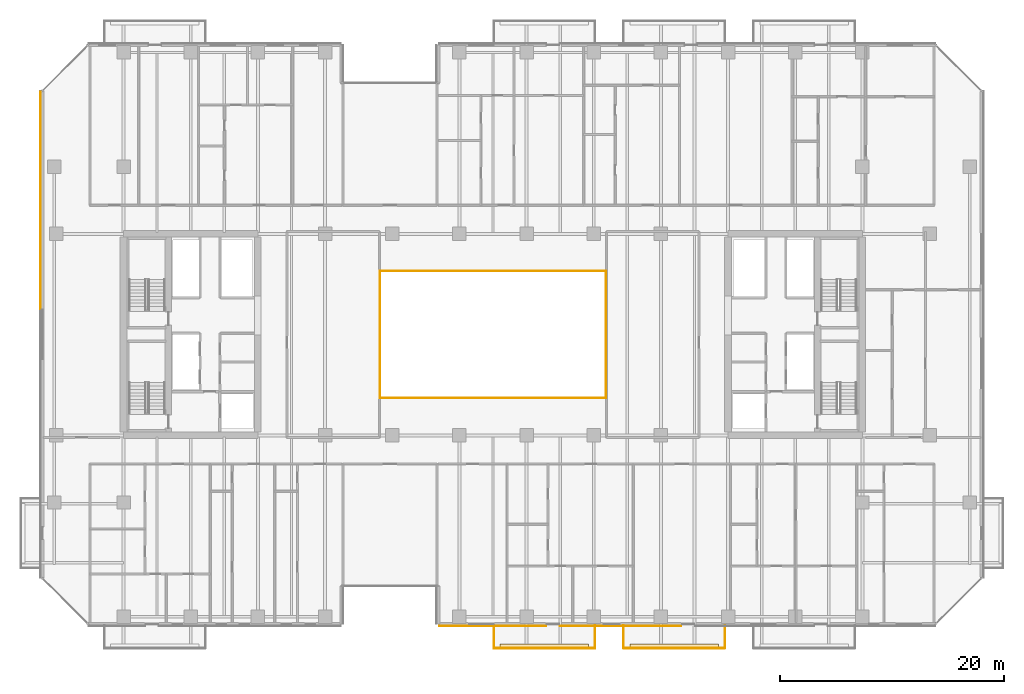
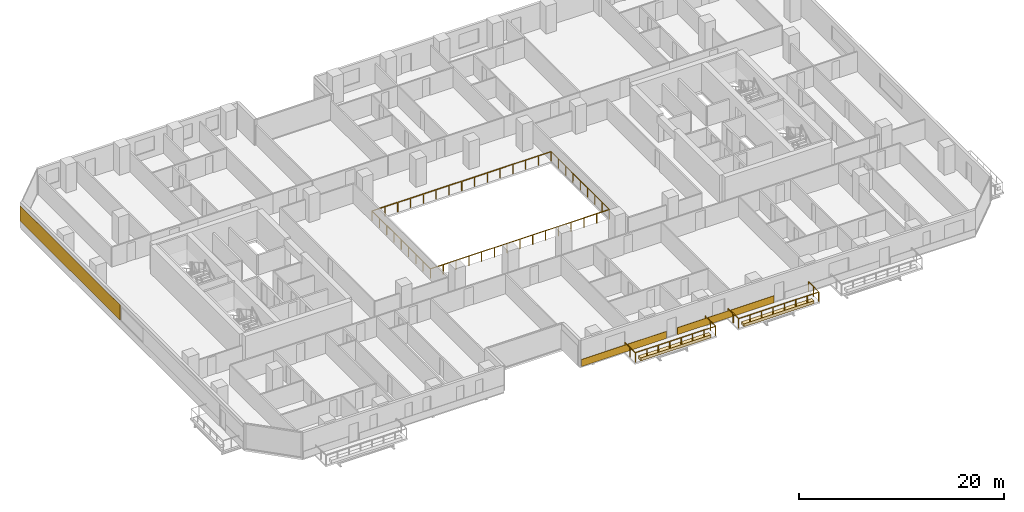
# One storey, part 28 of 33: 5 coverings, 4 railings.
"""IFC4 building model written with IfcOpenShell, lengths in metres."""

from ifc_helpers import new_model, si_unit, direction, frame, origin, origin_2d, place, context, subcontext, project, spatial, polyline, rectangle, outline, extrude, material, layer, layer_set, type_object, element, save


model = new_model("IFC4")

# Units and contexts
model_context = context("Model", 3, precision=1e-05, world=origin(), true_north=direction((0.0, 1.0)))
body_context = subcontext(model_context, "Body", "Model", "MODEL_VIEW")
ifc_project = project(units=[si_unit("LENGTHUNIT", "METRE"), si_unit("AREAUNIT", "SQUARE_METRE"), si_unit("VOLUMEUNIT", "CUBIC_METRE"), si_unit("PLANEANGLEUNIT", "RADIAN"), si_unit("MASSUNIT", "GRAM", prefix="KILO")], contexts=[model_context])

# Site, building, storey
site_placement = place(None, origin())
site = spatial("IfcSite", under=ifc_project, at=site_placement, CompositionType="ELEMENT")
building_placement = place(site_placement, origin())
building = spatial("IfcBuilding", under=site, at=building_placement, Name="Tanjung Sevakor Pilgrim Tower", CompositionType="ELEMENT")
storey_placement = place(building_placement, frame((0.0, 0.0, 38.93994140625)))
storey = spatial("IfcBuildingStorey", under=building, at=storey_placement, Name="L10", CompositionType="ELEMENT", Elevation=38.93994140625)

# Coverings
ifc_material_1 = material(Name="Reconstructed Limestone Cladding", Category="masonry")
ifc_layer_1 = layer(ifc_material_1, 0.044921875)
ifc_layer_set_1 = layer_set([ifc_layer_1], Name="COV-CLAD-LIMESTONE")
covering_type_1 = type_object("IfcCoveringType", Name="COV-CLAD-LIMESTONE", PredefinedType="CLADDING", material=ifc_layer_set_1)
covering_1_placement = place(storey_placement, frame((56.9599609375, 7.577392578125, 0.01025390625), z_axis=(0.0, 0.0, 1.0), x_axis=(1.0, 0.0, 0.0)))
element("IfcCovering", 1, at=covering_1_placement, inside=storey, type_object=covering_type_1, Name="L10 Warm Limestone Sill Spandrel EW-L10-MAIN-5-1", PredefinedType="CLADDING", context=body_context, shape_type="SweptSolid", body=[
    extrude(rectangle(XDim=9.56005859375, YDim=0.044921875, at=origin_2d()), origin(), (0.0, 0.0, 1.0), 0.840087890625),
])
covering_2_placement = place(storey_placement, frame((68.39990234375, 7.577392578125, 0.01025390625), z_axis=(0.0, 0.0, 1.0), x_axis=(1.0, 0.0, 0.0)))
element("IfcCovering", 2, at=covering_2_placement, inside=storey, type_object=covering_type_1, Name="L10 Warm Limestone Sill Spandrel EW-L10-MAIN-5-2", PredefinedType="CLADDING", context=body_context, shape_type="SweptSolid", body=[
    extrude(rectangle(XDim=10.8798828125, YDim=0.044921875, at=origin_2d()), origin(), (0.0, 0.0, 1.0), 0.840087890625),
])
covering_3_placement = place(storey_placement, frame((16.577392578125, 45.575927734375, 0.85009765625), z_axis=(0.0, 0.0, 1.0), x_axis=(0.0, -1.0, 0.0)))
element("IfcCovering", 3, at=covering_3_placement, inside=storey, type_object=covering_type_1, Name="L10 Warm Limestone Pier Panel EW-L10-MAIN-15-1", PredefinedType="CLADDING", context=body_context, shape_type="SweptSolid", body=[
    extrude(rectangle(XDim=19.451904296875, YDim=0.044921875, at=origin_2d()), origin(), (0.0, 0.0, 1.0), 1.81005859375),
])
ifc_material_2 = material(Name="Vegetated Modular Planter Assembly", Category="organic")
ifc_layer_2 = layer(ifc_material_2, 0.35009765625)
ifc_layer_set_2 = layer_set([ifc_layer_2], Name="COV-GRN-TROUGH")
covering_type_2 = type_object("IfcCoveringType", Name="COV-GRN-TROUGH", PredefinedType="CLADDING", material=ifc_layer_set_2)
covering_4_placement = place(storey_placement, origin())
element("IfcCovering", 4, at=covering_4_placement, inside=storey, type_object=covering_type_2, Name="L10 Planted Landscape Hedge Trough BGRN-L10-MAIN-S2", PredefinedType="CLADDING", context=body_context, shape_type="SweptSolid", body=[
    extrude(outline(polyline([(57.64990234375, 5.5), (65.550048828125, 5.5), (65.550048828125, 5.93994140625), (57.64990234375, 5.93994140625), (57.64990234375, 5.5)])), origin(), (0.0, 0.0, 1.0), 0.35009765625),
])
covering_5_placement = place(storey_placement, origin())
element("IfcCovering", 5, at=covering_5_placement, inside=storey, type_object=covering_type_2, Name="L10 Planted Landscape Hedge Trough BGRN-L10-MAIN-S3", PredefinedType="CLADDING", context=body_context, shape_type="SweptSolid", body=[
    extrude(outline(polyline([(69.25, 5.5), (77.14990234375, 5.5), (77.14990234375, 5.93994140625), (69.25, 5.93994140625), (69.25, 5.5)])), origin(), (0.0, 0.0, 1.0), 0.35009765625),
])

# Railings
ifc_material_3 = material(Name="Laminated Glass and Aluminium", Category="aluminium")
railing_type = type_object("IfcRailingType", Name="RL-BAL-BALUST", PredefinedType="BALUSTRADE", material=ifc_material_3)
railing_1_placement = place(storey_placement, frame((46.919921875, 27.919921875, 0.0)))
element("IfcRailing", 6, at=railing_1_placement, inside=storey, type_object=railing_type, Name="L10 Void Opening Balustrade 1A", PredefinedType="BALUSTRADE", context=body_context, shape_type="SweptSolid", body=[
    extrude(rectangle(XDim=0.0479, YDim=0.0479), frame((0.0, 0.0, 1.1259765625), z_axis=(1.0, 0.0, 0.0), x_axis=(0.0, 1.0, 0.0)), (0.0, 0.0, 1.0), 20.16015625),
    extrude(rectangle(XDim=0.0479, YDim=0.0479), frame((20.16015625, 0.0, 1.1259765625), z_axis=(0.0, 1.0, 0.0), x_axis=(-1.0, 0.0, 0.0)), (0.0, 0.0, 1.0), 11.360107421875),
    extrude(rectangle(XDim=0.042, YDim=0.042), origin(), (0.0, 0.0, 1.0), 1.101806640625),
    extrude(rectangle(XDim=0.042, YDim=0.042), frame((1.43994140625, 0.0, 0.0)), (0.0, 0.0, 1.0), 1.101806640625),
    extrude(rectangle(XDim=0.042, YDim=0.042), frame((2.880126953125, 0.0, 0.0)), (0.0, 0.0, 1.0), 1.101806640625),
    extrude(rectangle(XDim=0.042, YDim=0.042), frame((4.320068359375, 0.0, 0.0)), (0.0, 0.0, 1.0), 1.101806640625),
    extrude(rectangle(XDim=0.042, YDim=0.042), frame((5.760009765625, 0.0, 0.0)), (0.0, 0.0, 1.0), 1.101806640625),
    extrude(rectangle(XDim=0.042, YDim=0.042), frame((7.199951171875, 0.0, 0.0)), (0.0, 0.0, 1.0), 1.101806640625),
    extrude(rectangle(XDim=0.042, YDim=0.042), frame((8.64013671875, 0.0, 0.0)), (0.0, 0.0, 1.0), 1.101806640625),
    extrude(rectangle(XDim=0.042, YDim=0.042), frame((10.080078125, 0.0, 0.0)), (0.0, 0.0, 1.0), 1.101806640625),
    extrude(rectangle(XDim=0.042, YDim=0.042), frame((11.52001953125, 0.0, 0.0)), (0.0, 0.0, 1.0), 1.101806640625),
    extrude(rectangle(XDim=0.042, YDim=0.042), frame((12.960205078125, 0.0, 0.0)), (0.0, 0.0, 1.0), 1.101806640625),
    extrude(rectangle(XDim=0.042, YDim=0.042), frame((14.400146484375, 0.0, 0.0)), (0.0, 0.0, 1.0), 1.101806640625),
    extrude(rectangle(XDim=0.042, YDim=0.042), frame((15.840087890625, 0.0, 0.0)), (0.0, 0.0, 1.0), 1.101806640625),
    extrude(rectangle(XDim=0.042, YDim=0.042), frame((17.280029296875, 0.0, 0.0)), (0.0, 0.0, 1.0), 1.101806640625),
    extrude(rectangle(XDim=0.042, YDim=0.042), frame((18.72021484375, 0.0, 0.0)), (0.0, 0.0, 1.0), 1.101806640625),
    extrude(rectangle(XDim=0.042, YDim=0.042), frame((20.16015625, 0.0, 0.0)), (0.0, 0.0, 1.0), 1.101806640625),
    extrude(rectangle(XDim=0.042, YDim=0.042), frame((20.16015625, 1.419921875, 0.0)), (0.0, 0.0, 1.0), 1.101806640625),
    extrude(rectangle(XDim=0.042, YDim=0.042), frame((20.16015625, 2.840087890625, 0.0)), (0.0, 0.0, 1.0), 1.101806640625),
    extrude(rectangle(XDim=0.042, YDim=0.042), frame((20.16015625, 4.260009765625, 0.0)), (0.0, 0.0, 1.0), 1.101806640625),
    extrude(rectangle(XDim=0.042, YDim=0.042), frame((20.16015625, 5.68017578125, 0.0)), (0.0, 0.0, 1.0), 1.101806640625),
    extrude(rectangle(XDim=0.042, YDim=0.042), frame((20.16015625, 7.10009765625, 0.0)), (0.0, 0.0, 1.0), 1.101806640625),
    extrude(rectangle(XDim=0.042, YDim=0.042), frame((20.16015625, 8.52001953125, 0.0)), (0.0, 0.0, 1.0), 1.101806640625),
    extrude(rectangle(XDim=0.042, YDim=0.042), frame((20.16015625, 9.940185546875, 0.0)), (0.0, 0.0, 1.0), 1.101806640625),
    extrude(rectangle(XDim=0.042, YDim=0.042), frame((20.16015625, 11.360107421875, 0.0)), (0.0, 0.0, 1.0), 1.101806640625),
])
railing_2_placement = place(storey_placement, frame((67.080078125, 39.280029296875, 0.0)))
element("IfcRailing", 7, at=railing_2_placement, inside=storey, type_object=railing_type, Name="L10 Void Opening Balustrade 1B", PredefinedType="BALUSTRADE", context=body_context, shape_type="SweptSolid", body=[
    extrude(rectangle(XDim=0.0479, YDim=0.0479), frame((0.0, 0.0, 1.1259765625), z_axis=(-1.0, 0.0, 0.0), x_axis=(0.0, -1.0, 0.0)), (0.0, 0.0, 1.0), 20.16015625),
    extrude(rectangle(XDim=0.0479, YDim=0.0479), frame((-20.16015625, 0.0, 1.1259765625), z_axis=(0.0, -1.0, 0.0), x_axis=(1.0, 0.0, 0.0)), (0.0, 0.0, 1.0), 11.360107421875),
    extrude(rectangle(XDim=0.042, YDim=0.042), origin(), (0.0, 0.0, 1.0), 1.101806640625),
    extrude(rectangle(XDim=0.042, YDim=0.042), frame((-1.43994140625, 0.0, 0.0)), (0.0, 0.0, 1.0), 1.101806640625),
    extrude(rectangle(XDim=0.042, YDim=0.042), frame((-2.880126953125, 0.0, 0.0)), (0.0, 0.0, 1.0), 1.101806640625),
    extrude(rectangle(XDim=0.042, YDim=0.042), frame((-4.320068359375, 0.0, 0.0)), (0.0, 0.0, 1.0), 1.101806640625),
    extrude(rectangle(XDim=0.042, YDim=0.042), frame((-5.760009765625, 0.0, 0.0)), (0.0, 0.0, 1.0), 1.101806640625),
    extrude(rectangle(XDim=0.042, YDim=0.042), frame((-7.199951171875, 0.0, 0.0)), (0.0, 0.0, 1.0), 1.101806640625),
    extrude(rectangle(XDim=0.042, YDim=0.042), frame((-8.64013671875, 0.0, 0.0)), (0.0, 0.0, 1.0), 1.101806640625),
    extrude(rectangle(XDim=0.042, YDim=0.042), frame((-10.080078125, 0.0, 0.0)), (0.0, 0.0, 1.0), 1.101806640625),
    extrude(rectangle(XDim=0.042, YDim=0.042), frame((-11.52001953125, 0.0, 0.0)), (0.0, 0.0, 1.0), 1.101806640625),
    extrude(rectangle(XDim=0.042, YDim=0.042), frame((-12.960205078125, 0.0, 0.0)), (0.0, 0.0, 1.0), 1.101806640625),
    extrude(rectangle(XDim=0.042, YDim=0.042), frame((-14.400146484375, 0.0, 0.0)), (0.0, 0.0, 1.0), 1.101806640625),
    extrude(rectangle(XDim=0.042, YDim=0.042), frame((-15.840087890625, 0.0, 0.0)), (0.0, 0.0, 1.0), 1.101806640625),
    extrude(rectangle(XDim=0.042, YDim=0.042), frame((-17.280029296875, 0.0, 0.0)), (0.0, 0.0, 1.0), 1.101806640625),
    extrude(rectangle(XDim=0.042, YDim=0.042), frame((-18.72021484375, 0.0, 0.0)), (0.0, 0.0, 1.0), 1.101806640625),
    extrude(rectangle(XDim=0.042, YDim=0.042), frame((-20.16015625, 0.0, 0.0)), (0.0, 0.0, 1.0), 1.101806640625),
    extrude(rectangle(XDim=0.042, YDim=0.042), frame((-20.16015625, -1.419921875, 0.0)), (0.0, 0.0, 1.0), 1.101806640625),
    extrude(rectangle(XDim=0.042, YDim=0.042), frame((-20.16015625, -2.840087890625, 0.0)), (0.0, 0.0, 1.0), 1.101806640625),
    extrude(rectangle(XDim=0.042, YDim=0.042), frame((-20.16015625, -4.260009765625, 0.0)), (0.0, 0.0, 1.0), 1.101806640625),
    extrude(rectangle(XDim=0.042, YDim=0.042), frame((-20.16015625, -5.68017578125, 0.0)), (0.0, 0.0, 1.0), 1.101806640625),
    extrude(rectangle(XDim=0.042, YDim=0.042), frame((-20.16015625, -7.10009765625, 0.0)), (0.0, 0.0, 1.0), 1.101806640625),
    extrude(rectangle(XDim=0.042, YDim=0.042), frame((-20.16015625, -8.52001953125, 0.0)), (0.0, 0.0, 1.0), 1.101806640625),
    extrude(rectangle(XDim=0.042, YDim=0.042), frame((-20.16015625, -9.940185546875, 0.0)), (0.0, 0.0, 1.0), 1.101806640625),
    extrude(rectangle(XDim=0.042, YDim=0.042), frame((-20.16015625, -11.360107421875, 0.0)), (0.0, 0.0, 1.0), 1.101806640625),
])
railing_3_placement = place(storey_placement, frame((57.080078125, 7.60009765625, 0.0)))
element("IfcRailing", 8, at=railing_3_placement, inside=storey, type_object=railing_type, Name="L10 Loggia Balustrade MAIN-S2", PredefinedType="BALUSTRADE", context=body_context, shape_type="SweptSolid", body=[
    extrude(rectangle(XDim=0.0479, YDim=0.0479), frame((0.0, 0.0, 1.1259765625), z_axis=(0.0, -1.0, 0.0), x_axis=(1.0, 0.0, 0.0)), (0.0, 0.0, 1.0), 2.02001953125),
    extrude(rectangle(XDim=0.0479, YDim=0.0479), frame((0.0, -2.02001953125, 1.1259765625), z_axis=(1.0, 0.0, 0.0), x_axis=(0.0, 1.0, 0.0)), (0.0, 0.0, 1.0), 9.0400390625),
    extrude(rectangle(XDim=0.0479, YDim=0.0479), frame((9.0400390625, -2.02001953125, 1.1259765625), z_axis=(0.0, 1.0, 0.0), x_axis=(-1.0, 0.0, 0.0)), (0.0, 0.0, 1.0), 2.02001953125),
    extrude(rectangle(XDim=0.042, YDim=0.042), origin(), (0.0, 0.0, 1.0), 1.101806640625),
    extrude(rectangle(XDim=0.042, YDim=0.042), frame((0.0, -1.010009765625, 0.0)), (0.0, 0.0, 1.0), 1.101806640625),
    extrude(rectangle(XDim=0.042, YDim=0.042), frame((0.0, -2.02001953125, 0.0)), (0.0, 0.0, 1.0), 1.101806640625),
    extrude(rectangle(XDim=0.042, YDim=0.042), frame((1.29150390625, -2.02001953125, 0.0)), (0.0, 0.0, 1.0), 1.101806640625),
    extrude(rectangle(XDim=0.042, YDim=0.042), frame((2.582763671875, -2.02001953125, 0.0)), (0.0, 0.0, 1.0), 1.101806640625),
    extrude(rectangle(XDim=0.042, YDim=0.042), frame((3.874267578125, -2.02001953125, 0.0)), (0.0, 0.0, 1.0), 1.101806640625),
    extrude(rectangle(XDim=0.042, YDim=0.042), frame((5.165771484375, -2.02001953125, 0.0)), (0.0, 0.0, 1.0), 1.101806640625),
    extrude(rectangle(XDim=0.042, YDim=0.042), frame((6.457275390625, -2.02001953125, 0.0)), (0.0, 0.0, 1.0), 1.101806640625),
    extrude(rectangle(XDim=0.042, YDim=0.042), frame((7.74853515625, -2.02001953125, 0.0)), (0.0, 0.0, 1.0), 1.101806640625),
    extrude(rectangle(XDim=0.042, YDim=0.042), frame((9.0400390625, -2.02001953125, 0.0)), (0.0, 0.0, 1.0), 1.101806640625),
    extrude(rectangle(XDim=0.042, YDim=0.042), frame((9.0400390625, -1.010009765625, 0.0)), (0.0, 0.0, 1.0), 1.101806640625),
    extrude(rectangle(XDim=0.042, YDim=0.042), frame((9.0400390625, 0.0, 0.0)), (0.0, 0.0, 1.0), 1.101806640625),
])
railing_4_placement = place(storey_placement, frame((68.679931640625, 7.60009765625, 0.0)))
element("IfcRailing", 9, at=railing_4_placement, inside=storey, type_object=railing_type, Name="L10 Loggia Balustrade MAIN-S3", PredefinedType="BALUSTRADE", context=body_context, shape_type="SweptSolid", body=[
    extrude(rectangle(XDim=0.0479, YDim=0.0479), frame((0.0, 0.0, 1.1259765625), z_axis=(0.0, -1.0, 0.0), x_axis=(1.0, 0.0, 0.0)), (0.0, 0.0, 1.0), 2.02001953125),
    extrude(rectangle(XDim=0.0479, YDim=0.0479), frame((0.0, -2.02001953125, 1.1259765625), z_axis=(1.0, 0.0, 0.0), x_axis=(0.0, 1.0, 0.0)), (0.0, 0.0, 1.0), 9.0400390625),
    extrude(rectangle(XDim=0.0479, YDim=0.0479), frame((9.0400390625, -2.02001953125, 1.1259765625), z_axis=(0.0, 1.0, 0.0), x_axis=(-1.0, 0.0, 0.0)), (0.0, 0.0, 1.0), 2.02001953125),
    extrude(rectangle(XDim=0.042, YDim=0.042), origin(), (0.0, 0.0, 1.0), 1.101806640625),
    extrude(rectangle(XDim=0.042, YDim=0.042), frame((0.0, -1.010009765625, 0.0)), (0.0, 0.0, 1.0), 1.101806640625),
    extrude(rectangle(XDim=0.042, YDim=0.042), frame((0.0, -2.02001953125, 0.0)), (0.0, 0.0, 1.0), 1.101806640625),
    extrude(rectangle(XDim=0.042, YDim=0.042), frame((1.29150390625, -2.02001953125, 0.0)), (0.0, 0.0, 1.0), 1.101806640625),
    extrude(rectangle(XDim=0.042, YDim=0.042), frame((2.582763671875, -2.02001953125, 0.0)), (0.0, 0.0, 1.0), 1.101806640625),
    extrude(rectangle(XDim=0.042, YDim=0.042), frame((3.874267578125, -2.02001953125, 0.0)), (0.0, 0.0, 1.0), 1.101806640625),
    extrude(rectangle(XDim=0.042, YDim=0.042), frame((5.165771484375, -2.02001953125, 0.0)), (0.0, 0.0, 1.0), 1.101806640625),
    extrude(rectangle(XDim=0.042, YDim=0.042), frame((6.457275390625, -2.02001953125, 0.0)), (0.0, 0.0, 1.0), 1.101806640625),
    extrude(rectangle(XDim=0.042, YDim=0.042), frame((7.74853515625, -2.02001953125, 0.0)), (0.0, 0.0, 1.0), 1.101806640625),
    extrude(rectangle(XDim=0.042, YDim=0.042), frame((9.0400390625, -2.02001953125, 0.0)), (0.0, 0.0, 1.0), 1.101806640625),
    extrude(rectangle(XDim=0.042, YDim=0.042), frame((9.0400390625, -1.010009765625, 0.0)), (0.0, 0.0, 1.0), 1.101806640625),
    extrude(rectangle(XDim=0.042, YDim=0.042), frame((9.0400390625, 0.0, 0.0)), (0.0, 0.0, 1.0), 1.101806640625),
])

save(model, "model.ifc")
